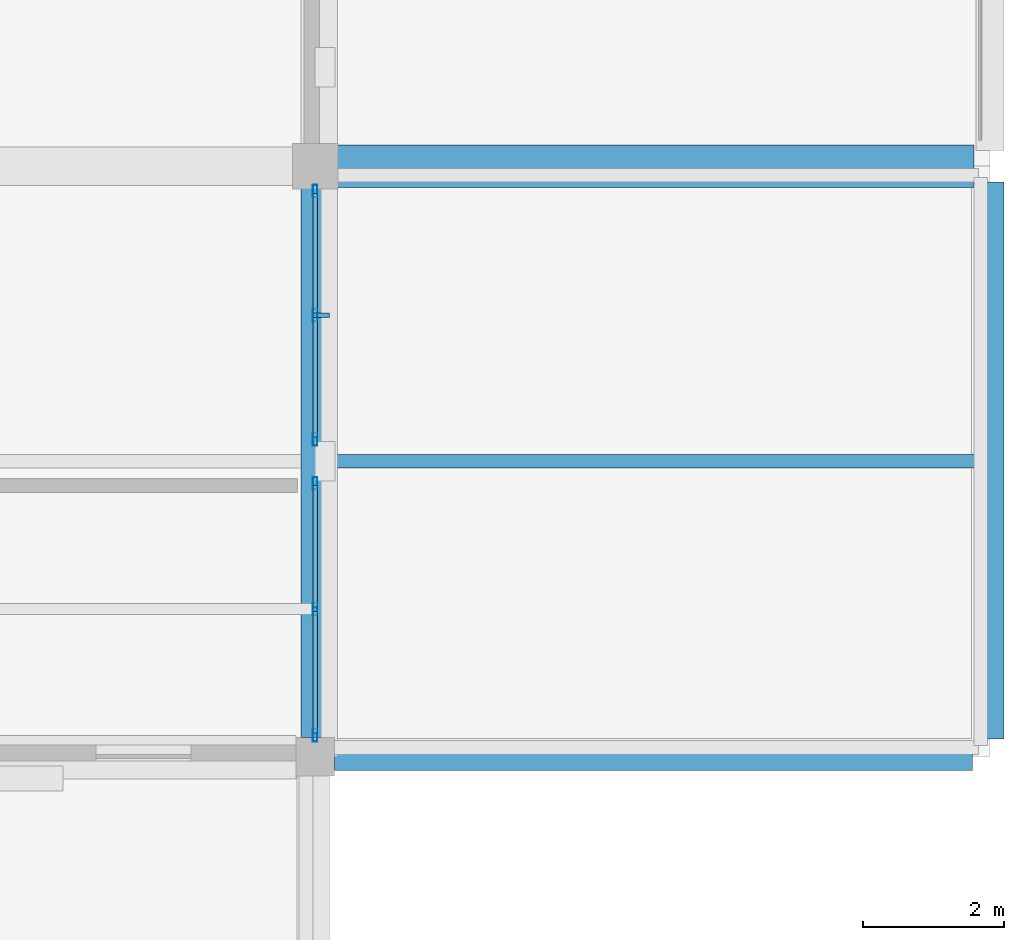
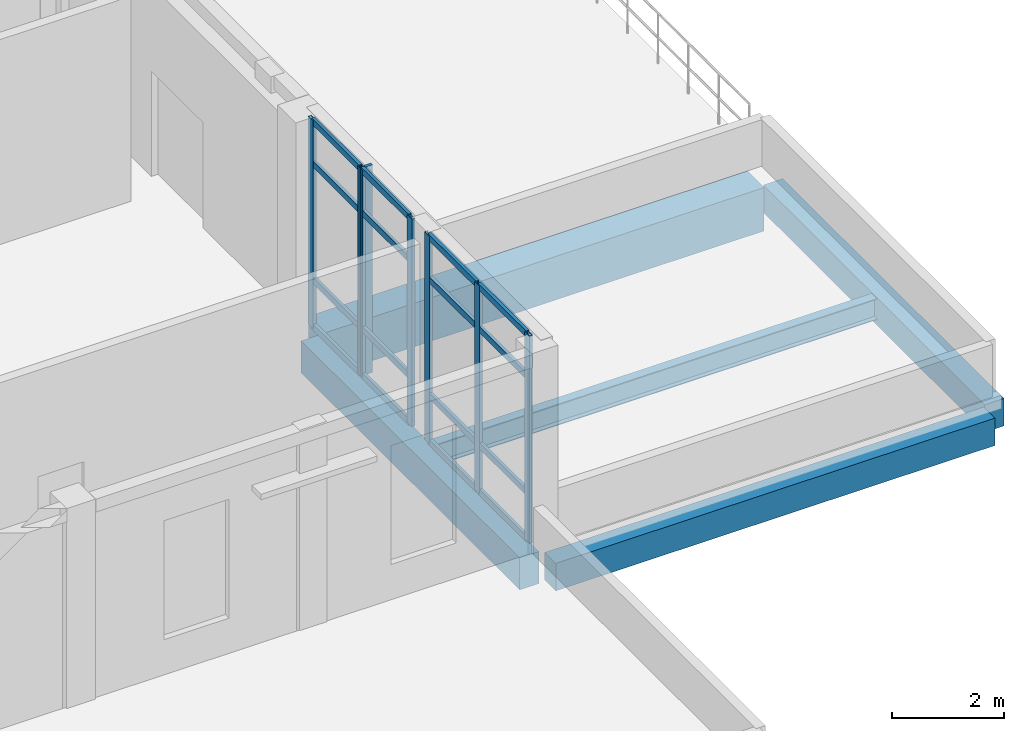
# One storey, part 55 of 88: 23 members, 5 beams, 2 elements without a shape of their own.
"""IFC4 building model written with IfcOpenShell, lengths in metres."""

from ifc_helpers import new_model, si_unit, direction, frame, origin, origin_2d, place, context, subcontext, project, spatial, rectangle, hollow_rectangle, i_section, extrude, material, layer, layer_set, material_profile, profile_set, type_object, element, aggregate, save


model = new_model("IFC4")

# Units and contexts
model_context = context("Model", 3, precision=1e-05, world=origin(), true_north=direction((0.0, 1.0)))
body_context = subcontext(model_context, "Body", "Model", "MODEL_VIEW")
ifc_project = project(units=[si_unit("LENGTHUNIT", "METRE"), si_unit("AREAUNIT", "SQUARE_METRE"), si_unit("VOLUMEUNIT", "CUBIC_METRE"), si_unit("PLANEANGLEUNIT", "RADIAN"), si_unit("MASSUNIT", "GRAM", prefix="KILO")], contexts=[model_context])

# Site, building, storey
site_placement = place(None, origin())
site = spatial("IfcSite", under=ifc_project, at=site_placement, CompositionType="ELEMENT")
building_placement = place(site_placement, origin())
building = spatial("IfcBuilding", under=site, at=building_placement, Name="Lornevale Opera House", CompositionType="ELEMENT")
storey_placement = place(building_placement, frame((0.0, 0.0, 10.199951171875)))
storey = spatial("IfcBuildingStorey", under=building, at=storey_placement, Name="L03", CompositionType="ELEMENT", Elevation=10.199951171875)

# Beams
ifc_material_1 = material(Name="Concrete 35 MPa (CSA A23.1 N)", Category="concrete")
ifc_material_profile_1 = material_profile(ifc_material_1, rectangle(XDim=0.39990234375, YDim=0.699951171875, at=origin_2d()), Name="RC400x700")
ifc_profile_set_1 = profile_set([ifc_material_profile_1], Name="Concrete 35 MPa (CSA A23.1 N)")
beam_type_1 = type_object("IfcBeamType", Name="Concrete Floor Beam 400x700", PredefinedType="USERDEFINED", material=ifc_profile_set_1)
beam_1_placement = place(storey_placement, frame((144.0, 17.074951171875, -0.639892578125), z_axis=(0.0, 1.0, 0.0), x_axis=(-1.0, 0.0, 0.0)))
element("IfcBeam", 1, at=beam_1_placement, inside=storey, type_object=beam_type_1, Name="Concrete Floor Beam 400x700 2351", ObjectType="GIRDER", PredefinedType="USERDEFINED", context=body_context, shape_type="SweptSolid", body=[
    extrude(rectangle(XDim=0.39990234375, YDim=0.699951171875, at=origin_2d()), origin(), (0.0, 0.0, 1.0), 7.824951171875),
])
ifc_material_profile_2 = material_profile(ifc_material_1, rectangle(XDim=0.60009765625, YDim=0.949951171875, at=origin_2d()), Name="RC600x950")
ifc_profile_set_2 = profile_set([ifc_material_profile_2], Name="Concrete 35 MPa (CSA A23.1 N)")
beam_type_2 = type_object("IfcBeamType", Name="Concrete Primary Girder 600x950", PredefinedType="USERDEFINED", material=ifc_profile_set_2)
beam_2_placement = place(storey_placement, frame((144.300048828125, 25.199951171875, -0.764892578125), z_axis=(1.0, 0.0, 0.0), x_axis=(0.0, 1.0, 0.0)))
element("IfcBeam", 2, at=beam_2_placement, inside=storey, type_object=beam_type_2, Name="Concrete Primary Girder 600x950 2116", ObjectType="GIRDER", PredefinedType="USERDEFINED", context=body_context, shape_type="SweptSolid", body=[
    extrude(rectangle(XDim=0.60009765625, YDim=0.949951171875, at=origin_2d()), origin(), (0.0, 0.0, 1.0), 9.074951171875),
])
ifc_material_profile_3 = material_profile(ifc_material_1, rectangle(XDim=0.39990234375, YDim=0.60009765625, at=origin_2d()), Name="RC400x600")
ifc_profile_set_3 = profile_set([ifc_material_profile_3], Name="Concrete 35 MPa (CSA A23.1 N)")
beam_type_3 = type_object("IfcBeamType", Name="Concrete Spandrel Beam 400x600", PredefinedType="SPANDREL", material=ifc_profile_set_3)
beam_3_placement = place(storey_placement, frame((144.27490234375, 16.800048828125, -0.58984375), z_axis=(1.0, 0.0, 0.0), x_axis=(0.0, 1.0, 0.0)))
element("IfcBeam", 3, at=beam_3_placement, inside=storey, type_object=beam_type_3, Name="Concrete Spandrel Beam 400x600 2103", PredefinedType="SPANDREL", context=body_context, shape_type="SweptSolid", body=[
    extrude(rectangle(XDim=0.39990234375, YDim=0.60009765625, at=origin_2d()), origin(), (0.0, 0.0, 1.0), 9.0751953125),
])
beam_4_placement = place(storey_placement, frame((153.60009765625, 17.050048828125, -0.58984375), z_axis=(0.0, 1.0, 0.0), x_axis=(-1.0, 0.0, 0.0)))
element("IfcBeam", 4, at=beam_4_placement, inside=storey, type_object=beam_type_3, Name="Concrete Spandrel Beam 400x600 2359", PredefinedType="SPANDREL", context=body_context, shape_type="SweptSolid", body=[
    extrude(rectangle(XDim=0.39990234375, YDim=0.60009765625, at=origin_2d()), origin(), (0.0, 0.0, 1.0), 7.925048828125),
])

# Curtain wall, members
ifc_material_2 = material(Name="Anodized Oxide-Green Aluminium Framing", Category="aluminium")
ifc_layer = layer(ifc_material_2, 0.179931640625)
ifc_layer_set = layer_set([ifc_layer], Name="Anodized Oxide-Green Aluminium Framing")
curtain_wall_type = type_object("IfcCurtainWallType", Name="Promenade Gallery Curtain Wall M1800", PredefinedType="NOTDEFINED", material=ifc_layer_set)
curtain_wall_1_placement = place(storey_placement, origin())
curtain_wall_1 = element("IfcCurtainWall", 5, at=curtain_wall_1_placement, inside=storey, type_object=curtain_wall_type, Name="Promenade Gallery Curtain Wall M1800 CW-145", PredefinedType="NOTDEFINED")
ifc_material_profile_4 = material_profile(ifc_material_2, hollow_rectangle(XDim=0.06494140625, YDim=0.179931640625, WallThickness=0.0048828125, at=origin_2d()), Name="ALU65x180x5")
ifc_profile_set_4 = profile_set([ifc_material_profile_4], Name="Anodized Oxide-Green Aluminium Framing")
member_type_1 = type_object("IfcMemberType", Name="Curtain Wall Mullion 65x180", PredefinedType="MULLION", material=ifc_profile_set_4)
member_1_placement = place(storey_placement, frame((144.0, 24.846435546875, 0.0), z_axis=(0.0, 0.0, 1.0), x_axis=(1.0, 0.0, 0.0)))
member_1 = element("IfcMember", 6, at=member_1_placement, type_object=member_type_1, Name="Curtain Wall Mullion 65x180 CW3017", PredefinedType="MULLION", context=body_context, shape_type="SweptSolid", body=[
    extrude(hollow_rectangle(XDim=0.06494140625, YDim=0.179931640625, WallThickness=0.0048828125, at=origin_2d()), origin(), (0.0, 0.0, 1.0), 4.5400390625),
])
member_2_placement = place(storey_placement, frame((144.0, 23.07958984375, 0.0), z_axis=(0.0, 0.0, 1.0), x_axis=(1.0, 0.0, 0.0)))
member_2 = element("IfcMember", 7, at=member_2_placement, type_object=member_type_1, Name="Curtain Wall Mullion 65x180 CW3018", PredefinedType="MULLION", context=body_context, shape_type="SweptSolid", body=[
    extrude(hollow_rectangle(XDim=0.06494140625, YDim=0.179931640625, WallThickness=0.0048828125, at=origin_2d()), origin(), (0.0, 0.0, 1.0), 4.5400390625),
])
member_3_placement = place(storey_placement, frame((144.0, 21.3125, 0.0), z_axis=(0.0, 0.0, 1.0), x_axis=(1.0, 0.0, 0.0)))
member_3 = element("IfcMember", 8, at=member_3_placement, type_object=member_type_1, Name="Curtain Wall Mullion 65x180 CW3019", PredefinedType="MULLION", context=body_context, shape_type="SweptSolid", body=[
    extrude(hollow_rectangle(XDim=0.06494140625, YDim=0.179931640625, WallThickness=0.0048828125, at=origin_2d()), origin(), (0.0, 0.0, 1.0), 4.5400390625),
])

curtain_wall_2_placement = place(storey_placement, origin())
curtain_wall_2 = element("IfcCurtainWall", 9, at=curtain_wall_2_placement, inside=storey, type_object=curtain_wall_type, Name="Promenade Gallery Curtain Wall M1800 CW-146", PredefinedType="NOTDEFINED")
member_4_placement = place(storey_placement, frame((144.0, 20.6875, 0.0), z_axis=(0.0, 0.0, 1.0), x_axis=(1.0, 0.0, 0.0)))
member_4 = element("IfcMember", 10, at=member_4_placement, type_object=member_type_1, Name="Curtain Wall Mullion 65x180 CW3034", PredefinedType="MULLION", context=body_context, shape_type="SweptSolid", body=[
    extrude(hollow_rectangle(XDim=0.06494140625, YDim=0.179931640625, WallThickness=0.0048828125, at=origin_2d()), origin(), (0.0, 0.0, 1.0), 4.5400390625),
])
member_5_placement = place(storey_placement, frame((144.0, 18.8955078125, 0.0), z_axis=(0.0, 0.0, 1.0), x_axis=(1.0, 0.0, 0.0)))
member_5 = element("IfcMember", 11, at=member_5_placement, type_object=member_type_1, Name="Curtain Wall Mullion 65x180 CW3035", PredefinedType="MULLION", context=body_context, shape_type="SweptSolid", body=[
    extrude(hollow_rectangle(XDim=0.06494140625, YDim=0.179931640625, WallThickness=0.0048828125, at=origin_2d()), origin(), (0.0, 0.0, 1.0), 4.5400390625),
])
member_6_placement = place(storey_placement, frame((144.0, 17.103515625, 0.0), z_axis=(0.0, 0.0, 1.0), x_axis=(1.0, 0.0, 0.0)))
member_6 = element("IfcMember", 12, at=member_6_placement, type_object=member_type_1, Name="Curtain Wall Mullion 65x180 CW3036", PredefinedType="MULLION", context=body_context, shape_type="SweptSolid", body=[
    extrude(hollow_rectangle(XDim=0.06494140625, YDim=0.179931640625, WallThickness=0.0048828125, at=origin_2d()), origin(), (0.0, 0.0, 1.0), 4.5400390625),
])

# Member
ifc_material_profile_5 = material_profile(ifc_material_2, hollow_rectangle(XDim=0.06494140625, YDim=0.135009765625, WallThickness=0.00390625, at=origin_2d()), Name="ALU65x135x4")
ifc_profile_set_5 = profile_set([ifc_material_profile_5], Name="Anodized Oxide-Green Aluminium Framing")
member_type_2 = type_object("IfcMemberType", Name="Curtain Wall Transom 65x135", PredefinedType="USERDEFINED", material=ifc_profile_set_5)
member_7_placement = place(storey_placement, frame((144.0, 24.81396484375, 0.032470703125), z_axis=(0.0, -1.0, 0.0), x_axis=(1.0, 0.0, 0.0)))
member_7 = element("IfcMember", 13, at=member_7_placement, type_object=member_type_2, Name="Curtain Wall Transom 65x135 CW3020", ObjectType="TRANSOM", PredefinedType="USERDEFINED", context=body_context, shape_type="SweptSolid", body=[
    extrude(hollow_rectangle(XDim=0.06494140625, YDim=0.135009765625, WallThickness=0.00390625, at=origin_2d()), origin(), (0.0, 0.0, 1.0), 1.701904296875),
])

member_8_placement = place(storey_placement, frame((144.0, 24.81396484375, 1.050048828125), z_axis=(0.0, -1.0, 0.0), x_axis=(1.0, 0.0, 0.0)))
member_8 = element("IfcMember", 14, at=member_8_placement, type_object=member_type_2, Name="Curtain Wall Transom 65x135 CW3021", ObjectType="TRANSOM", PredefinedType="USERDEFINED", context=body_context, shape_type="SweptSolid", body=[
    extrude(hollow_rectangle(XDim=0.06494140625, YDim=0.135009765625, WallThickness=0.00390625, at=origin_2d()), origin(), (0.0, 0.0, 1.0), 1.701904296875),
])

member_9_placement = place(storey_placement, frame((144.0, 24.81396484375, 3.590087890625), z_axis=(0.0, -1.0, 0.0), x_axis=(1.0, 0.0, 0.0)))
member_9 = element("IfcMember", 15, at=member_9_placement, type_object=member_type_2, Name="Curtain Wall Transom 65x135 CW3022", ObjectType="TRANSOM", PredefinedType="USERDEFINED", context=body_context, shape_type="SweptSolid", body=[
    extrude(hollow_rectangle(XDim=0.06494140625, YDim=0.135009765625, WallThickness=0.00390625, at=origin_2d()), origin(), (0.0, 0.0, 1.0), 1.701904296875),
])

member_10_placement = place(storey_placement, frame((144.0, 24.81396484375, 4.507568359375), z_axis=(0.0, -1.0, 0.0), x_axis=(1.0, 0.0, 0.0)))
member_10 = element("IfcMember", 16, at=member_10_placement, type_object=member_type_2, Name="Curtain Wall Transom 65x135 CW3023", ObjectType="TRANSOM", PredefinedType="USERDEFINED", context=body_context, shape_type="SweptSolid", body=[
    extrude(hollow_rectangle(XDim=0.06494140625, YDim=0.135009765625, WallThickness=0.00390625, at=origin_2d()), origin(), (0.0, 0.0, 1.0), 1.701904296875),
])

member_11_placement = place(storey_placement, frame((144.0, 23.047119140625, 0.032470703125), z_axis=(0.0, -1.0, 0.0), x_axis=(1.0, 0.0, 0.0)))
member_11 = element("IfcMember", 17, at=member_11_placement, type_object=member_type_2, Name="Curtain Wall Transom 65x135 CW3027", ObjectType="TRANSOM", PredefinedType="USERDEFINED", context=body_context, shape_type="SweptSolid", body=[
    extrude(hollow_rectangle(XDim=0.06494140625, YDim=0.135009765625, WallThickness=0.00390625, at=origin_2d()), origin(), (0.0, 0.0, 1.0), 1.7021484375),
])

member_12_placement = place(storey_placement, frame((144.0, 23.047119140625, 1.050048828125), z_axis=(0.0, -1.0, 0.0), x_axis=(1.0, 0.0, 0.0)))
member_12 = element("IfcMember", 18, at=member_12_placement, type_object=member_type_2, Name="Curtain Wall Transom 65x135 CW3028", ObjectType="TRANSOM", PredefinedType="USERDEFINED", context=body_context, shape_type="SweptSolid", body=[
    extrude(hollow_rectangle(XDim=0.06494140625, YDim=0.135009765625, WallThickness=0.00390625, at=origin_2d()), origin(), (0.0, 0.0, 1.0), 1.7021484375),
])

member_13_placement = place(storey_placement, frame((144.0, 23.047119140625, 3.590087890625), z_axis=(0.0, -1.0, 0.0), x_axis=(1.0, 0.0, 0.0)))
member_13 = element("IfcMember", 19, at=member_13_placement, type_object=member_type_2, Name="Curtain Wall Transom 65x135 CW3029", ObjectType="TRANSOM", PredefinedType="USERDEFINED", context=body_context, shape_type="SweptSolid", body=[
    extrude(hollow_rectangle(XDim=0.06494140625, YDim=0.135009765625, WallThickness=0.00390625, at=origin_2d()), origin(), (0.0, 0.0, 1.0), 1.7021484375),
])

member_14_placement = place(storey_placement, frame((144.0, 23.047119140625, 4.507568359375), z_axis=(0.0, -1.0, 0.0), x_axis=(1.0, 0.0, 0.0)))
member_14 = element("IfcMember", 20, at=member_14_placement, type_object=member_type_2, Name="Curtain Wall Transom 65x135 CW3030", ObjectType="TRANSOM", PredefinedType="USERDEFINED", context=body_context, shape_type="SweptSolid", body=[
    extrude(hollow_rectangle(XDim=0.06494140625, YDim=0.135009765625, WallThickness=0.00390625, at=origin_2d()), origin(), (0.0, 0.0, 1.0), 1.7021484375),
])

member_15_placement = place(storey_placement, frame((144.0, 20.655029296875, 0.032470703125), z_axis=(0.0, -1.0, 0.0), x_axis=(1.0, 0.0, 0.0)))
member_15 = element("IfcMember", 21, at=member_15_placement, type_object=member_type_2, Name="Curtain Wall Transom 65x135 CW3037", ObjectType="TRANSOM", PredefinedType="USERDEFINED", context=body_context, shape_type="SweptSolid", body=[
    extrude(hollow_rectangle(XDim=0.06494140625, YDim=0.135009765625, WallThickness=0.00390625, at=origin_2d()), origin(), (0.0, 0.0, 1.0), 1.72705078125),
])

member_16_placement = place(storey_placement, frame((144.0, 20.655029296875, 1.050048828125), z_axis=(0.0, -1.0, 0.0), x_axis=(1.0, 0.0, 0.0)))
member_16 = element("IfcMember", 22, at=member_16_placement, type_object=member_type_2, Name="Curtain Wall Transom 65x135 CW3038", ObjectType="TRANSOM", PredefinedType="USERDEFINED", context=body_context, shape_type="SweptSolid", body=[
    extrude(hollow_rectangle(XDim=0.06494140625, YDim=0.135009765625, WallThickness=0.00390625, at=origin_2d()), origin(), (0.0, 0.0, 1.0), 1.72705078125),
])

member_17_placement = place(storey_placement, frame((144.0, 20.655029296875, 3.590087890625), z_axis=(0.0, -1.0, 0.0), x_axis=(1.0, 0.0, 0.0)))
member_17 = element("IfcMember", 23, at=member_17_placement, type_object=member_type_2, Name="Curtain Wall Transom 65x135 CW3039", ObjectType="TRANSOM", PredefinedType="USERDEFINED", context=body_context, shape_type="SweptSolid", body=[
    extrude(hollow_rectangle(XDim=0.06494140625, YDim=0.135009765625, WallThickness=0.00390625, at=origin_2d()), origin(), (0.0, 0.0, 1.0), 1.72705078125),
])

member_18_placement = place(storey_placement, frame((144.0, 20.655029296875, 4.507568359375), z_axis=(0.0, -1.0, 0.0), x_axis=(1.0, 0.0, 0.0)))
member_18 = element("IfcMember", 24, at=member_18_placement, type_object=member_type_2, Name="Curtain Wall Transom 65x135 CW3040", ObjectType="TRANSOM", PredefinedType="USERDEFINED", context=body_context, shape_type="SweptSolid", body=[
    extrude(hollow_rectangle(XDim=0.06494140625, YDim=0.135009765625, WallThickness=0.00390625, at=origin_2d()), origin(), (0.0, 0.0, 1.0), 1.72705078125),
])

member_19_placement = place(storey_placement, frame((144.0, 18.863037109375, 0.032470703125), z_axis=(0.0, -1.0, 0.0), x_axis=(1.0, 0.0, 0.0)))
member_19 = element("IfcMember", 25, at=member_19_placement, type_object=member_type_2, Name="Curtain Wall Transom 65x135 CW3044", ObjectType="TRANSOM", PredefinedType="USERDEFINED", context=body_context, shape_type="SweptSolid", body=[
    extrude(hollow_rectangle(XDim=0.06494140625, YDim=0.135009765625, WallThickness=0.00390625, at=origin_2d()), origin(), (0.0, 0.0, 1.0), 1.72705078125),
])

member_20_placement = place(storey_placement, frame((144.0, 18.863037109375, 1.050048828125), z_axis=(0.0, -1.0, 0.0), x_axis=(1.0, 0.0, 0.0)))
member_20 = element("IfcMember", 26, at=member_20_placement, type_object=member_type_2, Name="Curtain Wall Transom 65x135 CW3045", ObjectType="TRANSOM", PredefinedType="USERDEFINED", context=body_context, shape_type="SweptSolid", body=[
    extrude(hollow_rectangle(XDim=0.06494140625, YDim=0.135009765625, WallThickness=0.00390625, at=origin_2d()), origin(), (0.0, 0.0, 1.0), 1.72705078125),
])

member_21_placement = place(storey_placement, frame((144.0, 18.863037109375, 3.590087890625), z_axis=(0.0, -1.0, 0.0), x_axis=(1.0, 0.0, 0.0)))
member_21 = element("IfcMember", 27, at=member_21_placement, type_object=member_type_2, Name="Curtain Wall Transom 65x135 CW3046", ObjectType="TRANSOM", PredefinedType="USERDEFINED", context=body_context, shape_type="SweptSolid", body=[
    extrude(hollow_rectangle(XDim=0.06494140625, YDim=0.135009765625, WallThickness=0.00390625, at=origin_2d()), origin(), (0.0, 0.0, 1.0), 1.72705078125),
])

member_22_placement = place(storey_placement, frame((144.0, 18.863037109375, 4.507568359375), z_axis=(0.0, -1.0, 0.0), x_axis=(1.0, 0.0, 0.0)))
member_22 = element("IfcMember", 28, at=member_22_placement, type_object=member_type_2, Name="Curtain Wall Transom 65x135 CW3047", ObjectType="TRANSOM", PredefinedType="USERDEFINED", context=body_context, shape_type="SweptSolid", body=[
    extrude(hollow_rectangle(XDim=0.06494140625, YDim=0.135009765625, WallThickness=0.00390625, at=origin_2d()), origin(), (0.0, 0.0, 1.0), 1.72705078125),
])

aggregate(curtain_wall_2, [member_4, member_5, member_6, member_15, member_16, member_17, member_18, member_19, member_20, member_21, member_22])

ifc_material_3 = material(Name="Architectural Bronze Solar Louvre Alloy", Category="metal")
ifc_material_profile_6 = material_profile(ifc_material_3, rectangle(XDim=0.06005859375, YDim=0.239990234375, at=origin_2d()), Name="FIN60x240")
ifc_profile_set_6 = profile_set([ifc_material_profile_6], Name="Architectural Bronze Solar Louvre Alloy")
member_type_3 = type_object("IfcMemberType", Name="Solar Shading Fin 60x240", PredefinedType="USERDEFINED", material=ifc_profile_set_6)
member_23_placement = place(storey_placement, frame((144.083984375, 23.07958984375, 0.0), z_axis=(0.0, 0.0, 1.0), x_axis=(0.0, -1.0, 0.0)))
member_23 = element("IfcMember", 29, at=member_23_placement, type_object=member_type_3, Name="Solar Shading Fin 60x240 FIN0061", ObjectType="SOLAR FIN", PredefinedType="USERDEFINED", context=body_context, shape_type="SweptSolid", body=[
    extrude(rectangle(XDim=0.06005859375, YDim=0.239990234375, at=origin_2d()), origin(), (0.0, 0.0, 1.0), 4.5400390625),
])

aggregate(curtain_wall_1, [member_1, member_2, member_3, member_7, member_8, member_9, member_10, member_11, member_12, member_13, member_14, member_23])

# Beam
ifc_material_4 = material(Name="Structural Steel CSA G40.21 Grade 350W (350 MPa)", Category="steel")
ifc_material_profile_7 = material_profile(ifc_material_4, i_section(OverallWidth=0.19189453125, OverallDepth=0.462890625, WebThickness=0.010498046875, FlangeThickness=0.017578125, at=origin_2d()), Name="W460x89")
ifc_profile_set_7 = profile_set([ifc_material_profile_7], Name="Structural Steel CSA G40.21 Grade 350W (350 MPa)")
beam_type_4 = type_object("IfcBeamType", Name="Steel Floor Joist W460x89", PredefinedType="JOIST", material=ifc_profile_set_7)
beam_5_placement = place(storey_placement, frame((144.199951171875, 21.0, -0.536376953125), z_axis=(1.0, 0.0, 0.0), x_axis=(0.0, 1.0, 0.0)))
element("IfcBeam", 30, at=beam_5_placement, inside=storey, type_object=beam_type_4, Name="Steel Floor Joist W460x89 2452", PredefinedType="JOIST", context=body_context, shape_type="SweptSolid", body=[
    extrude(i_section(OverallWidth=0.19189453125, OverallDepth=0.462890625, WebThickness=0.010498046875, FlangeThickness=0.017578125, at=origin_2d()), origin(), (0.0, 0.0, 1.0), 9.199951171875),
])

save(model, "model.ifc")
